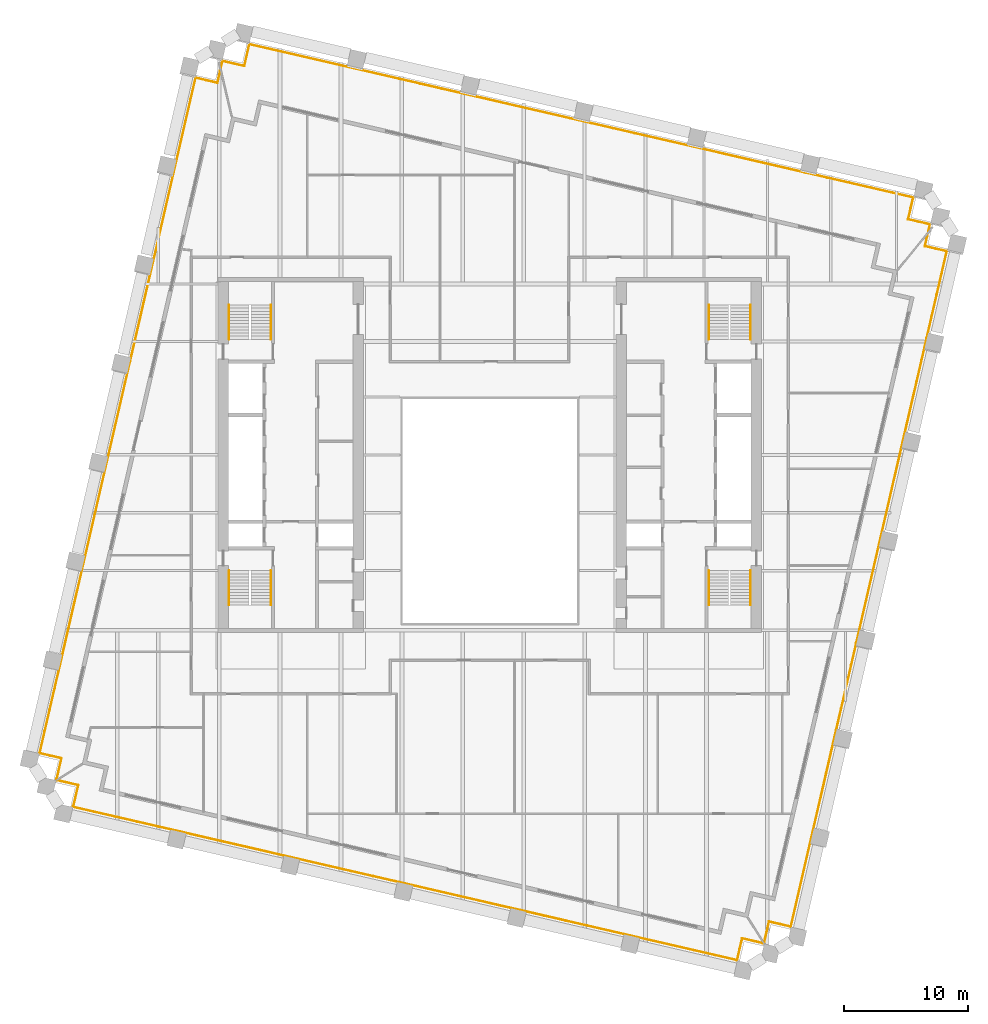
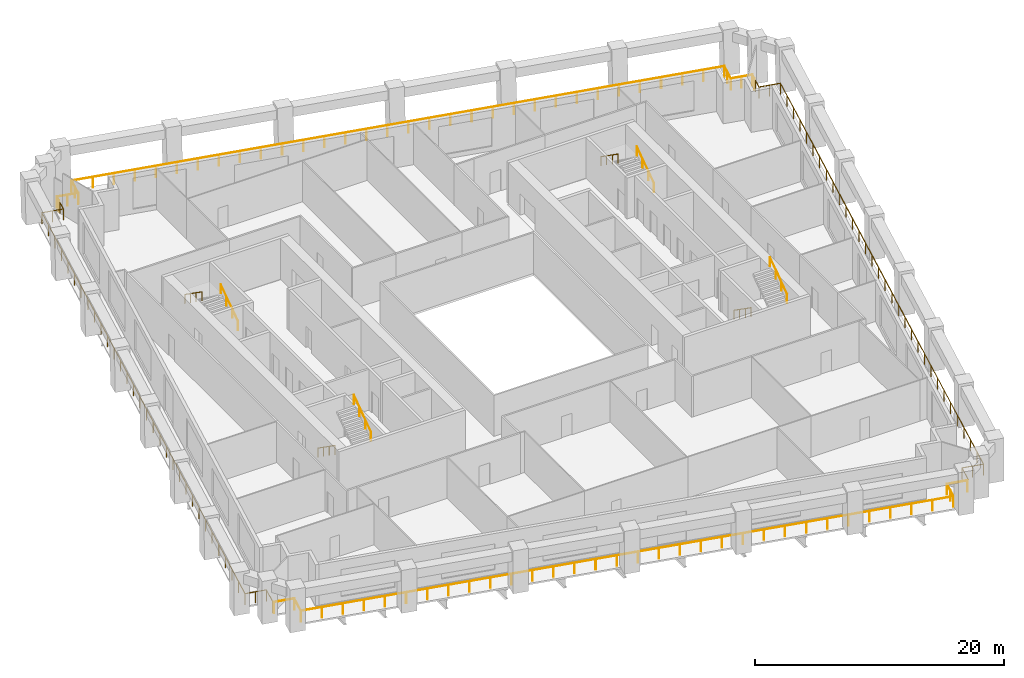
# One storey, part 9 of 9: 12 railings.
"""IFC4 building model written with IfcOpenShell, lengths in metres."""

from ifc_helpers import new_model, si_unit, direction, frame, origin, origin_2d, place, context, subcontext, project, spatial, circle, extrude, material, type_object, element, save


model = new_model("IFC4")

# Units and contexts
model_context = context("Model", 3, precision=1e-05, world=origin(), true_north=direction((0.0, 1.0)))
body_context = subcontext(model_context, "Body", "Model", "MODEL_VIEW")
ifc_project = project(units=[si_unit("LENGTHUNIT", "METRE"), si_unit("AREAUNIT", "SQUARE_METRE"), si_unit("VOLUMEUNIT", "CUBIC_METRE"), si_unit("PLANEANGLEUNIT", "RADIAN"), si_unit("MASSUNIT", "GRAM", prefix="KILO")], contexts=[model_context])

# Site, building, storey
site_placement = place(None, origin())
site = spatial("IfcSite", under=ifc_project, at=site_placement, CompositionType="ELEMENT")
building_placement = place(site_placement, origin())
building = spatial("IfcBuilding", under=site, at=building_placement, Name="Ogive Exchange Tower", CompositionType="ELEMENT")
storey_placement = place(building_placement, frame((0.0, 0.0, 126.60009765625)))
storey = spatial("IfcBuildingStorey", under=building, at=storey_placement, Name="L27", CompositionType="ELEMENT", Elevation=126.60009765625)

# Railings
ifc_material_1 = material(Name="Stainless steel 316", Category="steel")
railing_type_1 = type_object("IfcRailingType", Name="Guard 1100 stainless steel and glass", PredefinedType="GUARDRAIL", material=ifc_material_1)
railing_1_placement = place(storey_placement, frame((21.947265625, -27.74462890625, -0.050048828125)))
element("IfcRailing", 1, at=railing_1_placement, inside=storey, type_object=railing_type_1, Name="Loggia guard 1", PredefinedType="GUARDRAIL", context=body_context, shape_type="SweptSolid", body=[
    extrude(circle(Radius=0.02392578125, at=origin_2d()), frame((0.0, 0.0, 1.076171875), z_axis=(-0.974396013545, 0.224838628327, 0.0), x_axis=(-0.224838628327, -0.974396013545, 0.0)), (0.0, 0.0, 1.0), 1.7080078125),
    extrude(circle(Radius=0.02392578125, at=origin_2d()), frame((-1.664306640625, 0.384033203125, 1.076171875), z_axis=(-0.225008086135, -0.974356896201, 0.0), x_axis=(0.974356896201, -0.225008086135, 0.0)), (0.0, 0.0, 1.0), 1.800048828125),
    extrude(circle(Radius=0.02392578125, at=origin_2d()), frame((-2.0693359375, -1.369873046875, 1.076171875), z_axis=(-0.974368873975, 0.224956212247, 0.0), x_axis=(-0.224956212247, -0.974368873975, 0.0)), (0.0, 0.0, 1.0), 54.760009765625),
    extrude(circle(Radius=0.02392578125, at=origin_2d()), frame((-55.42578125, 10.94873046875, 1.076171875), z_axis=(0.22503782496, 0.974350028141, 0.0), x_axis=(-0.974350028141, 0.22503782496, 0.0)), (0.0, 0.0, 1.0), 1.7998046875),
    extrude(circle(Radius=0.02392578125, at=origin_2d()), frame((-55.020751953125, 12.702392578125, 1.076171875), z_axis=(-0.974364690374, 0.224974332206, 0.0), x_axis=(-0.224974332206, -0.974364690374, 0.0)), (0.0, 0.0, 1.0), 1.7080078125),
    extrude(circle(Radius=0.02099609375, at=origin_2d()), origin(), (0.0, 0.0, 1.0), 1.052001953125),
    extrude(circle(Radius=0.02099609375, at=origin_2d()), frame((-1.664306640625, 0.384033203125, 0.0)), (0.0, 0.0, 1.0), 1.052001953125),
    extrude(circle(Radius=0.02099609375, at=origin_2d()), frame((-1.86669921875, -0.492919921875, 0.0)), (0.0, 0.0, 1.0), 1.052001953125),
    extrude(circle(Radius=0.02099609375, at=origin_2d()), frame((-2.0693359375, -1.369873046875, 0.0)), (0.0, 0.0, 1.0), 1.052001953125),
    extrude(circle(Radius=0.02099609375, at=origin_2d()), frame((-3.79052734375, -0.972412109375, 0.0)), (0.0, 0.0, 1.0), 1.052001953125),
    extrude(circle(Radius=0.02099609375, at=origin_2d()), frame((-5.51171875, -0.5751953125, 0.0)), (0.0, 0.0, 1.0), 1.052001953125),
    extrude(circle(Radius=0.02099609375, at=origin_2d()), frame((-7.23291015625, -0.177734375, 0.0)), (0.0, 0.0, 1.0), 1.052001953125),
    extrude(circle(Radius=0.02099609375, at=origin_2d()), frame((-8.9541015625, 0.2197265625, 0.0)), (0.0, 0.0, 1.0), 1.052001953125),
    extrude(circle(Radius=0.02099609375, at=origin_2d()), frame((-10.67529296875, 0.616943359375, 0.0)), (0.0, 0.0, 1.0), 1.052001953125),
    extrude(circle(Radius=0.02099609375, at=origin_2d()), frame((-12.396484375, 1.014404296875, 0.0)), (0.0, 0.0, 1.0), 1.052001953125),
    extrude(circle(Radius=0.02099609375, at=origin_2d()), frame((-14.11767578125, 1.411865234375, 0.0)), (0.0, 0.0, 1.0), 1.052001953125),
    extrude(circle(Radius=0.02099609375, at=origin_2d()), frame((-15.838623046875, 1.80908203125, 0.0)), (0.0, 0.0, 1.0), 1.052001953125),
    extrude(circle(Radius=0.02099609375, at=origin_2d()), frame((-17.559814453125, 2.20654296875, 0.0)), (0.0, 0.0, 1.0), 1.052001953125),
    extrude(circle(Radius=0.02099609375, at=origin_2d()), frame((-19.281005859375, 2.603759765625, 0.0)), (0.0, 0.0, 1.0), 1.052001953125),
    extrude(circle(Radius=0.02099609375, at=origin_2d()), frame((-21.002197265625, 3.001220703125, 0.0)), (0.0, 0.0, 1.0), 1.052001953125),
    extrude(circle(Radius=0.02099609375, at=origin_2d()), frame((-22.723388671875, 3.398681640625, 0.0)), (0.0, 0.0, 1.0), 1.052001953125),
    extrude(circle(Radius=0.02099609375, at=origin_2d()), frame((-24.444580078125, 3.7958984375, 0.0)), (0.0, 0.0, 1.0), 1.052001953125),
    extrude(circle(Radius=0.02099609375, at=origin_2d()), frame((-26.165771484375, 4.193359375, 0.0)), (0.0, 0.0, 1.0), 1.052001953125),
    extrude(circle(Radius=0.02099609375, at=origin_2d()), frame((-27.886962890625, 4.5908203125, 0.0)), (0.0, 0.0, 1.0), 1.052001953125),
    extrude(circle(Radius=0.02099609375, at=origin_2d()), frame((-29.608154296875, 4.988037109375, 0.0)), (0.0, 0.0, 1.0), 1.052001953125),
    extrude(circle(Radius=0.02099609375, at=origin_2d()), frame((-31.329345703125, 5.385498046875, 0.0)), (0.0, 0.0, 1.0), 1.052001953125),
    extrude(circle(Radius=0.02099609375, at=origin_2d()), frame((-33.050537109375, 5.782958984375, 0.0)), (0.0, 0.0, 1.0), 1.052001953125),
    extrude(circle(Radius=0.02099609375, at=origin_2d()), frame((-34.771728515625, 6.18017578125, 0.0)), (0.0, 0.0, 1.0), 1.052001953125),
    extrude(circle(Radius=0.02099609375, at=origin_2d()), frame((-36.492919921875, 6.57763671875, 0.0)), (0.0, 0.0, 1.0), 1.052001953125),
    extrude(circle(Radius=0.02099609375, at=origin_2d()), frame((-38.214111328125, 6.97509765625, 0.0)), (0.0, 0.0, 1.0), 1.052001953125),
    extrude(circle(Radius=0.02099609375, at=origin_2d()), frame((-39.935302734375, 7.372314453125, 0.0)), (0.0, 0.0, 1.0), 1.052001953125),
    extrude(circle(Radius=0.02099609375, at=origin_2d()), frame((-41.656494140625, 7.769775390625, 0.0)), (0.0, 0.0, 1.0), 1.052001953125),
    extrude(circle(Radius=0.02099609375, at=origin_2d()), frame((-43.37744140625, 8.1669921875, 0.0)), (0.0, 0.0, 1.0), 1.052001953125),
    extrude(circle(Radius=0.02099609375, at=origin_2d()), frame((-45.0986328125, 8.564453125, 0.0)), (0.0, 0.0, 1.0), 1.052001953125),
    extrude(circle(Radius=0.02099609375, at=origin_2d()), frame((-46.81982421875, 8.9619140625, 0.0)), (0.0, 0.0, 1.0), 1.052001953125),
    extrude(circle(Radius=0.02099609375, at=origin_2d()), frame((-48.541015625, 9.359130859375, 0.0)), (0.0, 0.0, 1.0), 1.052001953125),
    extrude(circle(Radius=0.02099609375, at=origin_2d()), frame((-50.26220703125, 9.756591796875, 0.0)), (0.0, 0.0, 1.0), 1.052001953125),
    extrude(circle(Radius=0.02099609375, at=origin_2d()), frame((-51.9833984375, 10.154052734375, 0.0)), (0.0, 0.0, 1.0), 1.052001953125),
    extrude(circle(Radius=0.02099609375, at=origin_2d()), frame((-53.70458984375, 10.55126953125, 0.0)), (0.0, 0.0, 1.0), 1.052001953125),
    extrude(circle(Radius=0.02099609375, at=origin_2d()), frame((-55.42578125, 10.94873046875, 0.0)), (0.0, 0.0, 1.0), 1.052001953125),
    extrude(circle(Radius=0.02099609375, at=origin_2d()), frame((-55.020751953125, 12.702392578125, 0.0)), (0.0, 0.0, 1.0), 1.052001953125),
    extrude(circle(Radius=0.02099609375, at=origin_2d()), frame((-56.68505859375, 13.086669921875, 0.0)), (0.0, 0.0, 1.0), 1.052001953125),
])
railing_2_placement = place(storey_placement, frame((-34.806884765625, -14.547607421875, -0.050048828125)))
element("IfcRailing", 2, at=railing_2_placement, inside=storey, type_object=railing_type_1, Name="Loggia guard 2", PredefinedType="GUARDRAIL", context=body_context, shape_type="SweptSolid", body=[
    extrude(circle(Radius=0.02392578125, at=origin_2d()), frame((0.0, 0.0, 1.076171875), z_axis=(0.224974332206, 0.974364690374, 0.0), x_axis=(-0.974364690374, 0.224974332206, 0.0)), (0.0, 0.0, 1.0), 1.7080078125),
    extrude(circle(Radius=0.02392578125, at=origin_2d()), frame((0.38427734375, 1.664306640625, 1.076171875), z_axis=(-0.974386623598, 0.224879318197, 0.0), x_axis=(-0.224879318197, -0.974386623598, 0.0)), (0.0, 0.0, 1.0), 1.800048828125),
    extrude(circle(Radius=0.02392578125, at=origin_2d()), frame((-1.36962890625, 2.069091796875, 1.076171875), z_axis=(0.224953595244, 0.974369478169, 0.0), x_axis=(-0.974369478169, 0.224953595244, 0.0)), (0.0, 0.0, 1.0), 55.714599609375),
    extrude(circle(Radius=0.02392578125, at=origin_2d()), frame((11.16357421875, 56.355712890625, 1.076171875), z_axis=(0.974386623598, -0.224879318197, 0.0), x_axis=(0.224879318197, 0.974386623598, 0.0)), (0.0, 0.0, 1.0), 1.800048828125),
    extrude(circle(Radius=0.02392578125, at=origin_2d()), frame((12.91748046875, 55.950927734375, 1.076171875), z_axis=(0.22498845337, 0.974361429784, 0.0), x_axis=(-0.974361429784, 0.22498845337, 0.0)), (0.0, 0.0, 1.0), 0.968017578125),
    extrude(circle(Radius=0.02099609375, at=origin_2d()), origin(), (0.0, 0.0, 1.0), 1.052001953125),
    extrude(circle(Radius=0.02099609375, at=origin_2d()), frame((0.38427734375, 1.664306640625, 0.0)), (0.0, 0.0, 1.0), 1.052001953125),
    extrude(circle(Radius=0.02099609375, at=origin_2d()), frame((-0.49267578125, 1.86669921875, 0.0)), (0.0, 0.0, 1.0), 1.052001953125),
    extrude(circle(Radius=0.02099609375, at=origin_2d()), frame((-1.36962890625, 2.069091796875, 0.0)), (0.0, 0.0, 1.0), 1.052001953125),
    extrude(circle(Radius=0.02099609375, at=origin_2d()), frame((-0.96533203125, 3.8203125, 0.0)), (0.0, 0.0, 1.0), 1.052001953125),
    extrude(circle(Radius=0.02099609375, at=origin_2d()), frame((-0.56103515625, 5.571533203125, 0.0)), (0.0, 0.0, 1.0), 1.052001953125),
    extrude(circle(Radius=0.02099609375, at=origin_2d()), frame((-0.15673828125, 7.32275390625, 0.0)), (0.0, 0.0, 1.0), 1.052001953125),
    extrude(circle(Radius=0.02099609375, at=origin_2d()), frame((0.24755859375, 9.07373046875, 0.0)), (0.0, 0.0, 1.0), 1.052001953125),
    extrude(circle(Radius=0.02099609375, at=origin_2d()), frame((0.65185546875, 10.824951171875, 0.0)), (0.0, 0.0, 1.0), 1.052001953125),
    extrude(circle(Radius=0.02099609375, at=origin_2d()), frame((1.05615234375, 12.576171875, 0.0)), (0.0, 0.0, 1.0), 1.052001953125),
    extrude(circle(Radius=0.02099609375, at=origin_2d()), frame((1.46044921875, 14.327392578125, 0.0)), (0.0, 0.0, 1.0), 1.052001953125),
    extrude(circle(Radius=0.02099609375, at=origin_2d()), frame((1.86474609375, 16.07861328125, 0.0)), (0.0, 0.0, 1.0), 1.052001953125),
    extrude(circle(Radius=0.02099609375, at=origin_2d()), frame((2.26904296875, 17.829833984375, 0.0)), (0.0, 0.0, 1.0), 1.052001953125),
    extrude(circle(Radius=0.02099609375, at=origin_2d()), frame((2.67333984375, 19.580810546875, 0.0)), (0.0, 0.0, 1.0), 1.052001953125),
    extrude(circle(Radius=0.02099609375, at=origin_2d()), frame((3.07763671875, 21.33203125, 0.0)), (0.0, 0.0, 1.0), 1.052001953125),
    extrude(circle(Radius=0.02099609375, at=origin_2d()), frame((3.48193359375, 23.083251953125, 0.0)), (0.0, 0.0, 1.0), 1.052001953125),
    extrude(circle(Radius=0.02099609375, at=origin_2d()), frame((3.88623046875, 24.83447265625, 0.0)), (0.0, 0.0, 1.0), 1.052001953125),
    extrude(circle(Radius=0.02099609375, at=origin_2d()), frame((4.29052734375, 26.585693359375, 0.0)), (0.0, 0.0, 1.0), 1.052001953125),
    extrude(circle(Radius=0.02099609375, at=origin_2d()), frame((4.69482421875, 28.3369140625, 0.0)), (0.0, 0.0, 1.0), 1.052001953125),
    extrude(circle(Radius=0.02099609375, at=origin_2d()), frame((5.09912109375, 30.087890625, 0.0)), (0.0, 0.0, 1.0), 1.052001953125),
    extrude(circle(Radius=0.02099609375, at=origin_2d()), frame((5.50341796875, 31.839111328125, 0.0)), (0.0, 0.0, 1.0), 1.052001953125),
    extrude(circle(Radius=0.02099609375, at=origin_2d()), frame((5.90771484375, 33.59033203125, 0.0)), (0.0, 0.0, 1.0), 1.052001953125),
    extrude(circle(Radius=0.02099609375, at=origin_2d()), frame((6.31201171875, 35.341552734375, 0.0)), (0.0, 0.0, 1.0), 1.052001953125),
    extrude(circle(Radius=0.02099609375, at=origin_2d()), frame((6.71630859375, 37.0927734375, 0.0)), (0.0, 0.0, 1.0), 1.052001953125),
    extrude(circle(Radius=0.02099609375, at=origin_2d()), frame((7.12060546875, 38.843994140625, 0.0)), (0.0, 0.0, 1.0), 1.052001953125),
    extrude(circle(Radius=0.02099609375, at=origin_2d()), frame((7.52490234375, 40.594970703125, 0.0)), (0.0, 0.0, 1.0), 1.052001953125),
    extrude(circle(Radius=0.02099609375, at=origin_2d()), frame((7.92919921875, 42.34619140625, 0.0)), (0.0, 0.0, 1.0), 1.052001953125),
    extrude(circle(Radius=0.02099609375, at=origin_2d()), frame((8.33349609375, 44.097412109375, 0.0)), (0.0, 0.0, 1.0), 1.052001953125),
    extrude(circle(Radius=0.02099609375, at=origin_2d()), frame((8.73779296875, 45.8486328125, 0.0)), (0.0, 0.0, 1.0), 1.052001953125),
    extrude(circle(Radius=0.02099609375, at=origin_2d()), frame((9.14208984375, 47.599853515625, 0.0)), (0.0, 0.0, 1.0), 1.052001953125),
    extrude(circle(Radius=0.02099609375, at=origin_2d()), frame((9.54638671875, 49.35107421875, 0.0)), (0.0, 0.0, 1.0), 1.052001953125),
    extrude(circle(Radius=0.02099609375, at=origin_2d()), frame((9.95068359375, 51.10205078125, 0.0)), (0.0, 0.0, 1.0), 1.052001953125),
    extrude(circle(Radius=0.02099609375, at=origin_2d()), frame((10.35498046875, 52.853271484375, 0.0)), (0.0, 0.0, 1.0), 1.052001953125),
    extrude(circle(Radius=0.02099609375, at=origin_2d()), frame((10.75927734375, 54.6044921875, 0.0)), (0.0, 0.0, 1.0), 1.052001953125),
    extrude(circle(Radius=0.02099609375, at=origin_2d()), frame((11.16357421875, 56.355712890625, 0.0)), (0.0, 0.0, 1.0), 1.052001953125),
    extrude(circle(Radius=0.02099609375, at=origin_2d()), frame((12.04052734375, 56.1533203125, 0.0)), (0.0, 0.0, 1.0), 1.052001953125),
    extrude(circle(Radius=0.02099609375, at=origin_2d()), frame((12.91748046875, 55.950927734375, 0.0)), (0.0, 0.0, 1.0), 1.052001953125),
    extrude(circle(Radius=0.02099609375, at=origin_2d()), frame((13.13525390625, 56.89404296875, 0.0)), (0.0, 0.0, 1.0), 1.052001953125),
])
railing_3_placement = place(storey_placement, frame((-21.605712890625, 42.63232421875, -0.050048828125)))
element("IfcRailing", 3, at=railing_3_placement, inside=storey, type_object=railing_type_1, Name="Loggia guard 3", PredefinedType="GUARDRAIL", context=body_context, shape_type="SweptSolid", body=[
    extrude(circle(Radius=0.02392578125, at=origin_2d()), frame((0.0, 0.0, 1.076171875), z_axis=(0.224892620968, 0.974383553348, 0.0), x_axis=(-0.974383553348, 0.224892620968, 0.0)), (0.0, 0.0, 1.0), 0.538330078125),
    extrude(circle(Radius=0.02392578125, at=origin_2d()), frame((0.12109375, 0.524658203125, 1.076171875), z_axis=(0.974386623598, -0.224879318197, 0.0), x_axis=(0.224879318197, 0.974386623598, 0.0)), (0.0, 0.0, 1.0), 1.800048828125),
    extrude(circle(Radius=0.02392578125, at=origin_2d()), frame((1.875, 0.119873046875, 1.076171875), z_axis=(0.225008086135, 0.974356896201, 0.0), x_axis=(-0.974356896201, 0.225008086135, 0.0)), (0.0, 0.0, 1.0), 1.800048828125),
    extrude(circle(Radius=0.02392578125, at=origin_2d()), frame((2.280029296875, 1.873779296875, 1.076171875), z_axis=(0.974369851199, -0.224951979483, 0.0), x_axis=(0.224951979483, 0.974369851199, 0.0)), (0.0, 0.0, 1.0), 54.760009765625),
    extrude(circle(Radius=0.02392578125, at=origin_2d()), frame((55.636474609375, -10.444580078125, 1.076171875), z_axis=(-0.225008086135, -0.974356896201, 0.0), x_axis=(0.974356896201, -0.225008086135, 0.0)), (0.0, 0.0, 1.0), 1.800048828125),
    extrude(circle(Radius=0.02392578125, at=origin_2d()), frame((55.2314453125, -12.198486328125, 1.076171875), z_axis=(0.974356896201, -0.225008086135, 0.0), x_axis=(0.225008086135, 0.974356896201, 0.0)), (0.0, 0.0, 1.0), 1.800048828125),
    extrude(circle(Radius=0.02392578125, at=origin_2d()), frame((56.9853515625, -12.603515625, 1.076171875), z_axis=(-0.224892620968, -0.974383553348, 0.0), x_axis=(0.974383553348, -0.224892620968, 0.0)), (0.0, 0.0, 1.0), 0.538330078125),
    extrude(circle(Radius=0.02099609375, at=origin_2d()), origin(), (0.0, 0.0, 1.0), 1.052001953125),
    extrude(circle(Radius=0.02099609375, at=origin_2d()), frame((0.12109375, 0.524658203125, 0.0)), (0.0, 0.0, 1.0), 1.052001953125),
    extrude(circle(Radius=0.02099609375, at=origin_2d()), frame((0.998046875, 0.322265625, 0.0)), (0.0, 0.0, 1.0), 1.052001953125),
    extrude(circle(Radius=0.02099609375, at=origin_2d()), frame((1.875, 0.119873046875, 0.0)), (0.0, 0.0, 1.0), 1.052001953125),
    extrude(circle(Radius=0.02099609375, at=origin_2d()), frame((2.07763671875, 0.996826171875, 0.0)), (0.0, 0.0, 1.0), 1.052001953125),
    extrude(circle(Radius=0.02099609375, at=origin_2d()), frame((2.280029296875, 1.873779296875, 0.0)), (0.0, 0.0, 1.0), 1.052001953125),
    extrude(circle(Radius=0.02099609375, at=origin_2d()), frame((4.001220703125, 1.476318359375, 0.0)), (0.0, 0.0, 1.0), 1.052001953125),
    extrude(circle(Radius=0.02099609375, at=origin_2d()), frame((5.722412109375, 1.0791015625, 0.0)), (0.0, 0.0, 1.0), 1.052001953125),
    extrude(circle(Radius=0.02099609375, at=origin_2d()), frame((7.443603515625, 0.681640625, 0.0)), (0.0, 0.0, 1.0), 1.052001953125),
    extrude(circle(Radius=0.02099609375, at=origin_2d()), frame((9.164794921875, 0.284423828125, 0.0)), (0.0, 0.0, 1.0), 1.052001953125),
    extrude(circle(Radius=0.02099609375, at=origin_2d()), frame((10.885986328125, -0.113037109375, 0.0)), (0.0, 0.0, 1.0), 1.052001953125),
    extrude(circle(Radius=0.02099609375, at=origin_2d()), frame((12.607177734375, -0.510498046875, 0.0)), (0.0, 0.0, 1.0), 1.052001953125),
    extrude(circle(Radius=0.02099609375, at=origin_2d()), frame((14.328369140625, -0.90771484375, 0.0)), (0.0, 0.0, 1.0), 1.052001953125),
    extrude(circle(Radius=0.02099609375, at=origin_2d()), frame((16.04931640625, -1.30517578125, 0.0)), (0.0, 0.0, 1.0), 1.052001953125),
    extrude(circle(Radius=0.02099609375, at=origin_2d()), frame((17.7705078125, -1.70263671875, 0.0)), (0.0, 0.0, 1.0), 1.052001953125),
    extrude(circle(Radius=0.02099609375, at=origin_2d()), frame((19.49169921875, -2.099853515625, 0.0)), (0.0, 0.0, 1.0), 1.052001953125),
    extrude(circle(Radius=0.02099609375, at=origin_2d()), frame((21.212890625, -2.497314453125, 0.0)), (0.0, 0.0, 1.0), 1.052001953125),
    extrude(circle(Radius=0.02099609375, at=origin_2d()), frame((22.93408203125, -2.89453125, 0.0)), (0.0, 0.0, 1.0), 1.052001953125),
    extrude(circle(Radius=0.02099609375, at=origin_2d()), frame((24.6552734375, -3.2919921875, 0.0)), (0.0, 0.0, 1.0), 1.052001953125),
    extrude(circle(Radius=0.02099609375, at=origin_2d()), frame((26.37646484375, -3.689453125, 0.0)), (0.0, 0.0, 1.0), 1.052001953125),
    extrude(circle(Radius=0.02099609375, at=origin_2d()), frame((28.09765625, -4.086669921875, 0.0)), (0.0, 0.0, 1.0), 1.052001953125),
    extrude(circle(Radius=0.02099609375, at=origin_2d()), frame((29.81884765625, -4.484130859375, 0.0)), (0.0, 0.0, 1.0), 1.052001953125),
    extrude(circle(Radius=0.02099609375, at=origin_2d()), frame((31.5400390625, -4.88134765625, 0.0)), (0.0, 0.0, 1.0), 1.052001953125),
    extrude(circle(Radius=0.02099609375, at=origin_2d()), frame((33.26123046875, -5.27880859375, 0.0)), (0.0, 0.0, 1.0), 1.052001953125),
    extrude(circle(Radius=0.02099609375, at=origin_2d()), frame((34.982421875, -5.67626953125, 0.0)), (0.0, 0.0, 1.0), 1.052001953125),
    extrude(circle(Radius=0.02099609375, at=origin_2d()), frame((36.70361328125, -6.073486328125, 0.0)), (0.0, 0.0, 1.0), 1.052001953125),
    extrude(circle(Radius=0.02099609375, at=origin_2d()), frame((38.4248046875, -6.470947265625, 0.0)), (0.0, 0.0, 1.0), 1.052001953125),
    extrude(circle(Radius=0.02099609375, at=origin_2d()), frame((40.14599609375, -6.8681640625, 0.0)), (0.0, 0.0, 1.0), 1.052001953125),
    extrude(circle(Radius=0.02099609375, at=origin_2d()), frame((41.8671875, -7.265625, 0.0)), (0.0, 0.0, 1.0), 1.052001953125),
    extrude(circle(Radius=0.02099609375, at=origin_2d()), frame((43.588134765625, -7.6630859375, 0.0)), (0.0, 0.0, 1.0), 1.052001953125),
    extrude(circle(Radius=0.02099609375, at=origin_2d()), frame((45.309326171875, -8.060302734375, 0.0)), (0.0, 0.0, 1.0), 1.052001953125),
    extrude(circle(Radius=0.02099609375, at=origin_2d()), frame((47.030517578125, -8.457763671875, 0.0)), (0.0, 0.0, 1.0), 1.052001953125),
    extrude(circle(Radius=0.02099609375, at=origin_2d()), frame((48.751708984375, -8.855224609375, 0.0)), (0.0, 0.0, 1.0), 1.052001953125),
    extrude(circle(Radius=0.02099609375, at=origin_2d()), frame((50.472900390625, -9.25244140625, 0.0)), (0.0, 0.0, 1.0), 1.052001953125),
    extrude(circle(Radius=0.02099609375, at=origin_2d()), frame((52.194091796875, -9.64990234375, 0.0)), (0.0, 0.0, 1.0), 1.052001953125),
    extrude(circle(Radius=0.02099609375, at=origin_2d()), frame((53.915283203125, -10.047119140625, 0.0)), (0.0, 0.0, 1.0), 1.052001953125),
    extrude(circle(Radius=0.02099609375, at=origin_2d()), frame((55.636474609375, -10.444580078125, 0.0)), (0.0, 0.0, 1.0), 1.052001953125),
    extrude(circle(Radius=0.02099609375, at=origin_2d()), frame((55.43408203125, -11.321533203125, 0.0)), (0.0, 0.0, 1.0), 1.052001953125),
    extrude(circle(Radius=0.02099609375, at=origin_2d()), frame((55.2314453125, -12.198486328125, 0.0)), (0.0, 0.0, 1.0), 1.052001953125),
    extrude(circle(Radius=0.02099609375, at=origin_2d()), frame((56.1083984375, -12.40087890625, 0.0)), (0.0, 0.0, 1.0), 1.052001953125),
    extrude(circle(Radius=0.02099609375, at=origin_2d()), frame((56.9853515625, -12.603515625, 0.0)), (0.0, 0.0, 1.0), 1.052001953125),
    extrude(circle(Radius=0.02099609375, at=origin_2d()), frame((56.8642578125, -13.128173828125, 0.0)), (0.0, 0.0, 1.0), 1.052001953125),
])
railing_4_placement = place(storey_placement, frame((35.1923828125, 29.21826171875, -0.050048828125)))
element("IfcRailing", 4, at=railing_4_placement, inside=storey, type_object=railing_type_1, Name="Loggia guard 4", PredefinedType="GUARDRAIL", context=body_context, shape_type="SweptSolid", body=[
    extrude(circle(Radius=0.02392578125, at=origin_2d()), frame((0.0, 0.0, 1.076171875), z_axis=(-0.224933172889, -0.974374192872, 0.0), x_axis=(0.974374192872, -0.224933172889, 0.0)), (0.0, 0.0, 1.0), 0.96826171875),
    extrude(circle(Radius=0.02392578125, at=origin_2d()), frame((-0.2177734375, -0.943359375, 1.076171875), z_axis=(0.974386623598, -0.224879318197, 0.0), x_axis=(0.224879318197, 0.974386623598, 0.0)), (0.0, 0.0, 1.0), 1.800048828125),
    extrude(circle(Radius=0.02392578125, at=origin_2d()), frame((1.5361328125, -1.34814453125, 1.076171875), z_axis=(-0.224949434999, -0.974370438639, 0.0), x_axis=(0.974370438639, -0.224949434999, 0.0)), (0.0, 0.0, 1.0), 55.714599609375),
    extrude(circle(Radius=0.02392578125, at=origin_2d()), frame((-10.996826171875, -55.634765625, 1.076171875), z_axis=(-0.974356896201, 0.225008086135, 0.0), x_axis=(-0.225008086135, -0.974356896201, 0.0)), (0.0, 0.0, 1.0), 1.800048828125),
    extrude(circle(Radius=0.02392578125, at=origin_2d()), frame((-12.750732421875, -55.229736328125, 1.076171875), z_axis=(-0.224974332206, -0.974364690374, 0.0), x_axis=(0.974364690374, -0.224974332206, 0.0)), (0.0, 0.0, 1.0), 1.7080078125),
    extrude(circle(Radius=0.02099609375, at=origin_2d()), origin(), (0.0, 0.0, 1.0), 1.052001953125),
    extrude(circle(Radius=0.02099609375, at=origin_2d()), frame((-0.2177734375, -0.943359375, 0.0)), (0.0, 0.0, 1.0), 1.052001953125),
    extrude(circle(Radius=0.02099609375, at=origin_2d()), frame((0.6591796875, -1.145751953125, 0.0)), (0.0, 0.0, 1.0), 1.052001953125),
    extrude(circle(Radius=0.02099609375, at=origin_2d()), frame((1.5361328125, -1.34814453125, 0.0)), (0.0, 0.0, 1.0), 1.052001953125),
    extrude(circle(Radius=0.02099609375, at=origin_2d()), frame((1.1318359375, -3.099365234375, 0.0)), (0.0, 0.0, 1.0), 1.052001953125),
    extrude(circle(Radius=0.02099609375, at=origin_2d()), frame((0.7275390625, -4.8505859375, 0.0)), (0.0, 0.0, 1.0), 1.052001953125),
    extrude(circle(Radius=0.02099609375, at=origin_2d()), frame((0.3232421875, -6.601806640625, 0.0)), (0.0, 0.0, 1.0), 1.052001953125),
    extrude(circle(Radius=0.02099609375, at=origin_2d()), frame((-0.0810546875, -8.352783203125, 0.0)), (0.0, 0.0, 1.0), 1.052001953125),
    extrude(circle(Radius=0.02099609375, at=origin_2d()), frame((-0.4853515625, -10.10400390625, 0.0)), (0.0, 0.0, 1.0), 1.052001953125),
    extrude(circle(Radius=0.02099609375, at=origin_2d()), frame((-0.8896484375, -11.855224609375, 0.0)), (0.0, 0.0, 1.0), 1.052001953125),
    extrude(circle(Radius=0.02099609375, at=origin_2d()), frame((-1.2939453125, -13.6064453125, 0.0)), (0.0, 0.0, 1.0), 1.052001953125),
    extrude(circle(Radius=0.02099609375, at=origin_2d()), frame((-1.6982421875, -15.357666015625, 0.0)), (0.0, 0.0, 1.0), 1.052001953125),
    extrude(circle(Radius=0.02099609375, at=origin_2d()), frame((-2.1025390625, -17.10888671875, 0.0)), (0.0, 0.0, 1.0), 1.052001953125),
    extrude(circle(Radius=0.02099609375, at=origin_2d()), frame((-2.5068359375, -18.85986328125, 0.0)), (0.0, 0.0, 1.0), 1.052001953125),
    extrude(circle(Radius=0.02099609375, at=origin_2d()), frame((-2.9111328125, -20.611083984375, 0.0)), (0.0, 0.0, 1.0), 1.052001953125),
    extrude(circle(Radius=0.02099609375, at=origin_2d()), frame((-3.3154296875, -22.3623046875, 0.0)), (0.0, 0.0, 1.0), 1.052001953125),
    extrude(circle(Radius=0.02099609375, at=origin_2d()), frame((-3.7197265625, -24.113525390625, 0.0)), (0.0, 0.0, 1.0), 1.052001953125),
    extrude(circle(Radius=0.02099609375, at=origin_2d()), frame((-4.1240234375, -25.86474609375, 0.0)), (0.0, 0.0, 1.0), 1.052001953125),
    extrude(circle(Radius=0.02099609375, at=origin_2d()), frame((-4.5283203125, -27.615966796875, 0.0)), (0.0, 0.0, 1.0), 1.052001953125),
    extrude(circle(Radius=0.02099609375, at=origin_2d()), frame((-4.932373046875, -29.366943359375, 0.0)), (0.0, 0.0, 1.0), 1.052001953125),
    extrude(circle(Radius=0.02099609375, at=origin_2d()), frame((-5.336669921875, -31.1181640625, 0.0)), (0.0, 0.0, 1.0), 1.052001953125),
    extrude(circle(Radius=0.02099609375, at=origin_2d()), frame((-5.740966796875, -32.869384765625, 0.0)), (0.0, 0.0, 1.0), 1.052001953125),
    extrude(circle(Radius=0.02099609375, at=origin_2d()), frame((-6.145263671875, -34.62060546875, 0.0)), (0.0, 0.0, 1.0), 1.052001953125),
    extrude(circle(Radius=0.02099609375, at=origin_2d()), frame((-6.549560546875, -36.371826171875, 0.0)), (0.0, 0.0, 1.0), 1.052001953125),
    extrude(circle(Radius=0.02099609375, at=origin_2d()), frame((-6.953857421875, -38.123046875, 0.0)), (0.0, 0.0, 1.0), 1.052001953125),
    extrude(circle(Radius=0.02099609375, at=origin_2d()), frame((-7.358154296875, -39.8740234375, 0.0)), (0.0, 0.0, 1.0), 1.052001953125),
    extrude(circle(Radius=0.02099609375, at=origin_2d()), frame((-7.762451171875, -41.625244140625, 0.0)), (0.0, 0.0, 1.0), 1.052001953125),
    extrude(circle(Radius=0.02099609375, at=origin_2d()), frame((-8.166748046875, -43.37646484375, 0.0)), (0.0, 0.0, 1.0), 1.052001953125),
    extrude(circle(Radius=0.02099609375, at=origin_2d()), frame((-8.571044921875, -45.127685546875, 0.0)), (0.0, 0.0, 1.0), 1.052001953125),
    extrude(circle(Radius=0.02099609375, at=origin_2d()), frame((-8.975341796875, -46.87890625, 0.0)), (0.0, 0.0, 1.0), 1.052001953125),
    extrude(circle(Radius=0.02099609375, at=origin_2d()), frame((-9.379638671875, -48.630126953125, 0.0)), (0.0, 0.0, 1.0), 1.052001953125),
    extrude(circle(Radius=0.02099609375, at=origin_2d()), frame((-9.783935546875, -50.381103515625, 0.0)), (0.0, 0.0, 1.0), 1.052001953125),
    extrude(circle(Radius=0.02099609375, at=origin_2d()), frame((-10.188232421875, -52.13232421875, 0.0)), (0.0, 0.0, 1.0), 1.052001953125),
    extrude(circle(Radius=0.02099609375, at=origin_2d()), frame((-10.592529296875, -53.883544921875, 0.0)), (0.0, 0.0, 1.0), 1.052001953125),
    extrude(circle(Radius=0.02099609375, at=origin_2d()), frame((-10.996826171875, -55.634765625, 0.0)), (0.0, 0.0, 1.0), 1.052001953125),
    extrude(circle(Radius=0.02099609375, at=origin_2d()), frame((-11.873779296875, -55.43212890625, 0.0)), (0.0, 0.0, 1.0), 1.052001953125),
    extrude(circle(Radius=0.02099609375, at=origin_2d()), frame((-12.750732421875, -55.229736328125, 0.0)), (0.0, 0.0, 1.0), 1.052001953125),
    extrude(circle(Radius=0.02099609375, at=origin_2d()), frame((-13.135009765625, -56.89404296875, 0.0)), (0.0, 0.0, 1.0), 1.052001953125),
])
ifc_material_2 = material(Name="Stainless steel", Category="steel")
railing_type_2 = type_object("IfcRailingType", Name="Stair handrail 900", PredefinedType="HANDRAIL", material=ifc_material_2)
railing_5_placement = place(storey_placement, frame((-20.949951171875, 2.199951171875, 0.1748046875)))
element("IfcRailing", 5, at=railing_5_placement, inside=storey, type_object=railing_type_2, Name="L27 ST1 stair handrail 1", PredefinedType="HANDRAIL", context=body_context, shape_type="SweptSolid", body=[
    extrude(circle(Radius=0.02392578125, at=origin_2d()), frame((0.0, 0.0, 0.8759765625), z_axis=(0.0, -0.819225086817, 0.573472106672), x_axis=(1.0, 0.0, 0.0)), (0.0, 0.0, 1.0), 3.35693359375),
    extrude(circle(Radius=0.02099609375, at=origin_2d()), origin(), (0.0, 0.0, 1.0), 0.851806640625),
    extrude(circle(Radius=0.02099609375, at=origin_2d()), frame((0.0, -0.916748046875, 0.6416015625)), (0.0, 0.0, 1.0), 0.851806640625),
    extrude(circle(Radius=0.02099609375, at=origin_2d()), frame((0.0, -1.833251953125, 1.283447265625)), (0.0, 0.0, 1.0), 0.851806640625),
    extrude(circle(Radius=0.02099609375, at=origin_2d()), frame((0.0, -2.75, 1.925048828125)), (0.0, 0.0, 1.0), 0.851806640625),
])
for number, where, name in (
    (6, (-17.60009765625, -0.550048828125, 2.27490234375), "L27 ST1 stair handrail 2"),
    (7, (-17.60009765625, 20.800048828125, 0.1748046875), "L27 ST2 stair handrail 1"),
):
    element("IfcRailing", number, at=place(storey_placement, frame(where)), inside=storey, type_object=railing_type_2, Name=name, PredefinedType="HANDRAIL", context=body_context, shape_type="SweptSolid", body=[
        extrude(circle(Radius=0.02392578125, at=origin_2d()), frame((0.0, 0.0, 0.8759765625), z_axis=(0.0, 0.819225086817, 0.573472106672), x_axis=(-1.0, 0.0, 0.0)), (0.0, 0.0, 1.0), 3.35693359375),
        extrude(circle(Radius=0.02099609375, at=origin_2d()), origin(), (0.0, 0.0, 1.0), 0.851806640625),
        extrude(circle(Radius=0.02099609375, at=origin_2d()), frame((0.0, 0.916748046875, 0.6416015625)), (0.0, 0.0, 1.0), 0.851806640625),
        extrude(circle(Radius=0.02099609375, at=origin_2d()), frame((0.0, 1.833251953125, 1.283447265625)), (0.0, 0.0, 1.0), 0.851806640625),
        extrude(circle(Radius=0.02099609375, at=origin_2d()), frame((0.0, 2.75, 1.925048828125)), (0.0, 0.0, 1.0), 0.851806640625),
    ])
for number, where, name in (
    (8, (-20.949951171875, 23.550048828125, 2.27490234375), "L27 ST2 stair handrail 2"),
    (9, (17.60009765625, 2.199951171875, 0.1748046875), "L27 ST3 stair handrail 1"),
):
    element("IfcRailing", number, at=place(storey_placement, frame(where)), inside=storey, type_object=railing_type_2, Name=name, PredefinedType="HANDRAIL", context=body_context, shape_type="SweptSolid", body=[
        extrude(circle(Radius=0.02392578125, at=origin_2d()), frame((0.0, 0.0, 0.8759765625), z_axis=(0.0, -0.819225086817, 0.573472106672), x_axis=(1.0, 0.0, 0.0)), (0.0, 0.0, 1.0), 3.35693359375),
        extrude(circle(Radius=0.02099609375, at=origin_2d()), origin(), (0.0, 0.0, 1.0), 0.851806640625),
        extrude(circle(Radius=0.02099609375, at=origin_2d()), frame((0.0, -0.916748046875, 0.6416015625)), (0.0, 0.0, 1.0), 0.851806640625),
        extrude(circle(Radius=0.02099609375, at=origin_2d()), frame((0.0, -1.833251953125, 1.283447265625)), (0.0, 0.0, 1.0), 0.851806640625),
        extrude(circle(Radius=0.02099609375, at=origin_2d()), frame((0.0, -2.75, 1.925048828125)), (0.0, 0.0, 1.0), 0.851806640625),
    ])
for number, where, name in (
    (10, (20.949951171875, -0.550048828125, 2.27490234375), "L27 ST3 stair handrail 2"),
    (11, (20.949951171875, 20.800048828125, 0.1748046875), "L27 ST4 stair handrail 1"),
):
    element("IfcRailing", number, at=place(storey_placement, frame(where)), inside=storey, type_object=railing_type_2, Name=name, PredefinedType="HANDRAIL", context=body_context, shape_type="SweptSolid", body=[
        extrude(circle(Radius=0.02392578125, at=origin_2d()), frame((0.0, 0.0, 0.8759765625), z_axis=(0.0, 0.819225086817, 0.573472106672), x_axis=(-1.0, 0.0, 0.0)), (0.0, 0.0, 1.0), 3.35693359375),
        extrude(circle(Radius=0.02099609375, at=origin_2d()), origin(), (0.0, 0.0, 1.0), 0.851806640625),
        extrude(circle(Radius=0.02099609375, at=origin_2d()), frame((0.0, 0.916748046875, 0.6416015625)), (0.0, 0.0, 1.0), 0.851806640625),
        extrude(circle(Radius=0.02099609375, at=origin_2d()), frame((0.0, 1.833251953125, 1.283447265625)), (0.0, 0.0, 1.0), 0.851806640625),
        extrude(circle(Radius=0.02099609375, at=origin_2d()), frame((0.0, 2.75, 1.925048828125)), (0.0, 0.0, 1.0), 0.851806640625),
    ])
railing_6_placement = place(storey_placement, frame((17.60009765625, 23.550048828125, 2.27490234375)))
element("IfcRailing", 12, at=railing_6_placement, inside=storey, type_object=railing_type_2, Name="L27 ST4 stair handrail 2", PredefinedType="HANDRAIL", context=body_context, shape_type="SweptSolid", body=[
    extrude(circle(Radius=0.02392578125, at=origin_2d()), frame((0.0, 0.0, 0.8759765625), z_axis=(0.0, -0.819225086817, 0.573472106672), x_axis=(1.0, 0.0, 0.0)), (0.0, 0.0, 1.0), 3.35693359375),
    extrude(circle(Radius=0.02099609375, at=origin_2d()), origin(), (0.0, 0.0, 1.0), 0.851806640625),
    extrude(circle(Radius=0.02099609375, at=origin_2d()), frame((0.0, -0.916748046875, 0.6416015625)), (0.0, 0.0, 1.0), 0.851806640625),
    extrude(circle(Radius=0.02099609375, at=origin_2d()), frame((0.0, -1.833251953125, 1.283447265625)), (0.0, 0.0, 1.0), 0.851806640625),
    extrude(circle(Radius=0.02099609375, at=origin_2d()), frame((0.0, -2.75, 1.925048828125)), (0.0, 0.0, 1.0), 0.851806640625),
])

save(model, "model.ifc")
